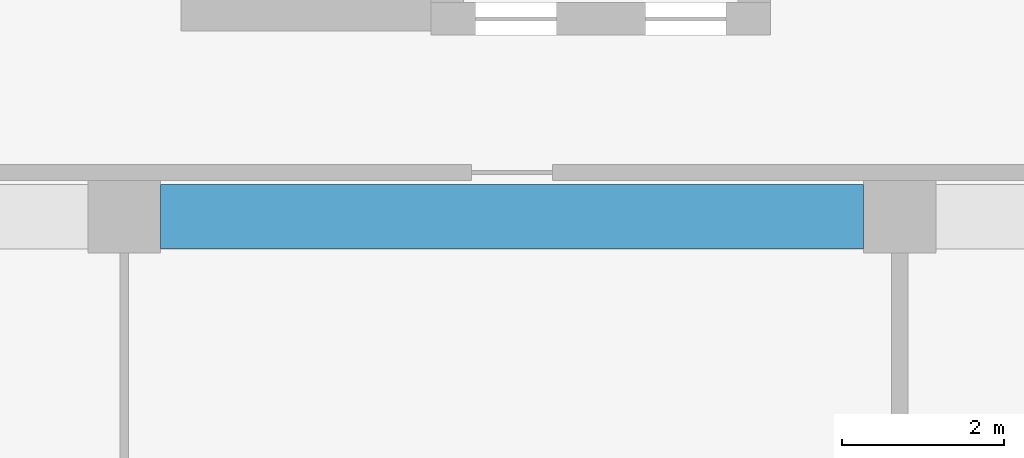
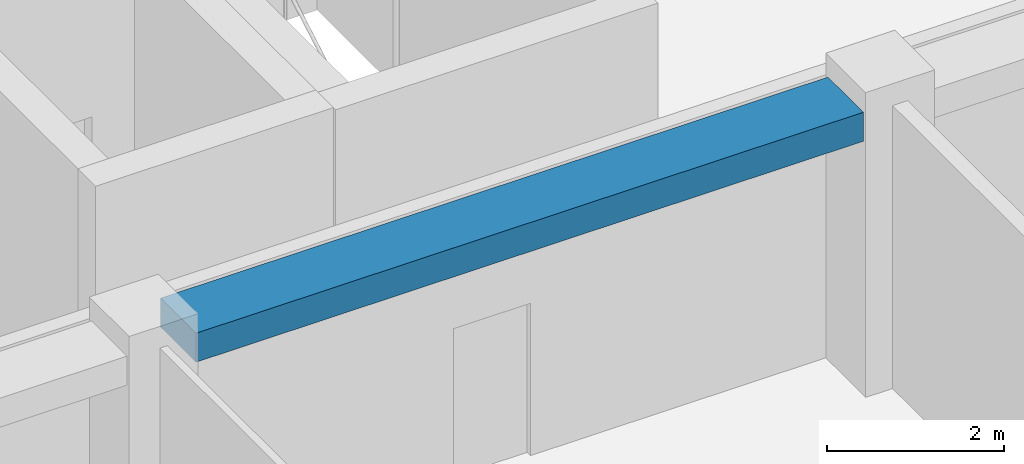
# One storey, part 5 of 38: 1 beam.
"""IFC4 building model written with IfcOpenShell, lengths in metres."""

from ifc_helpers import new_model, si_unit, direction, frame, origin, origin_2d, place, context, subcontext, project, spatial, rectangle, extrude, material, material_profile, profile_set, type_object, element, save


model = new_model("IFC4")

# Units and contexts
model_context = context("Model", 3, precision=1e-05, world=origin(), true_north=direction((0.0, 1.0)))
body_context = subcontext(model_context, "Body", "Model", "MODEL_VIEW")
ifc_project = project(units=[si_unit("LENGTHUNIT", "METRE"), si_unit("AREAUNIT", "SQUARE_METRE"), si_unit("VOLUMEUNIT", "CUBIC_METRE"), si_unit("PLANEANGLEUNIT", "RADIAN"), si_unit("MASSUNIT", "GRAM", prefix="KILO")], contexts=[model_context])

# Site, building, storey
site_placement = place(None, origin())
site = spatial("IfcSite", under=ifc_project, at=site_placement, CompositionType="ELEMENT")
building_placement = place(site_placement, origin())
building = spatial("IfcBuilding", under=site, at=building_placement, Name="Nzadi Deep Aquarium and Research Tower", CompositionType="ELEMENT")
storey_placement = place(building_placement, frame((0.0, 0.0, 48.699951171875)))
storey = spatial("IfcBuildingStorey", under=building, at=storey_placement, Name="L09", CompositionType="ELEMENT", Elevation=48.699951171875)

# Beam
ifc_material = material(Name="Concrete C35/45", Category="concrete")
ifc_material_profile = material_profile(ifc_material, rectangle(XDim=0.800048828125, YDim=0.39990234375, at=origin_2d()))
ifc_profile_set = profile_set([ifc_material_profile], Name="Concrete C35/45")
beam_type = type_object("IfcBeamType", Name="RC 800x400", PredefinedType="BEAM", material=ifc_profile_set)
beam_placement = place(storey_placement, frame((19.64990234375, 9.199951171875, 3.699951171875), z_axis=(1.0, 0.0, 0.0), x_axis=(0.0, 1.0, 0.0)))
element("IfcBeam", 1, at=beam_placement, inside=storey, type_object=beam_type, Name="B-Z1-L09-L2-3", PredefinedType="BEAM", context=body_context, shape_type="SweptSolid", body=[
    extrude(rectangle(XDim=0.800048828125, YDim=0.39990234375, at=origin_2d()), origin(), (0.0, 0.0, 1.0), 8.7001953125),
])

save(model, "model.ifc")
